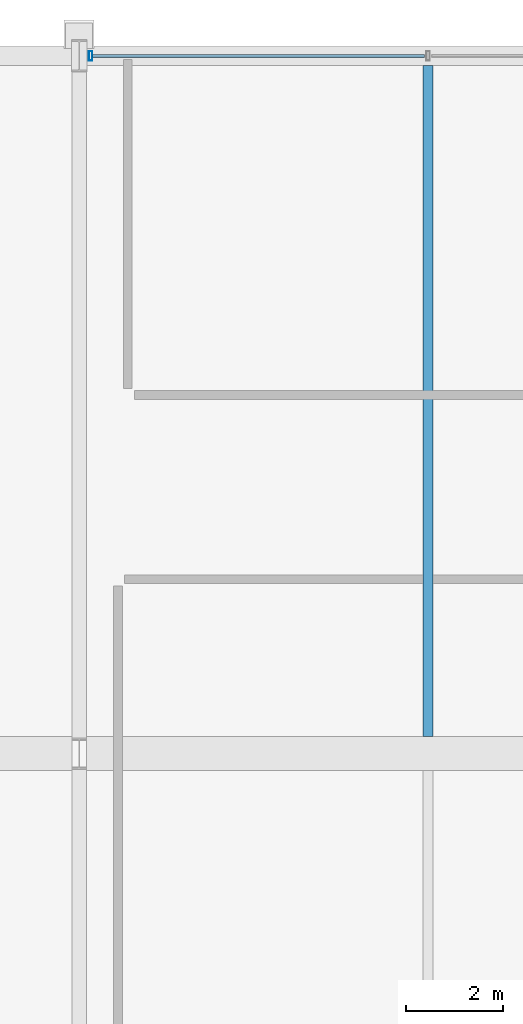
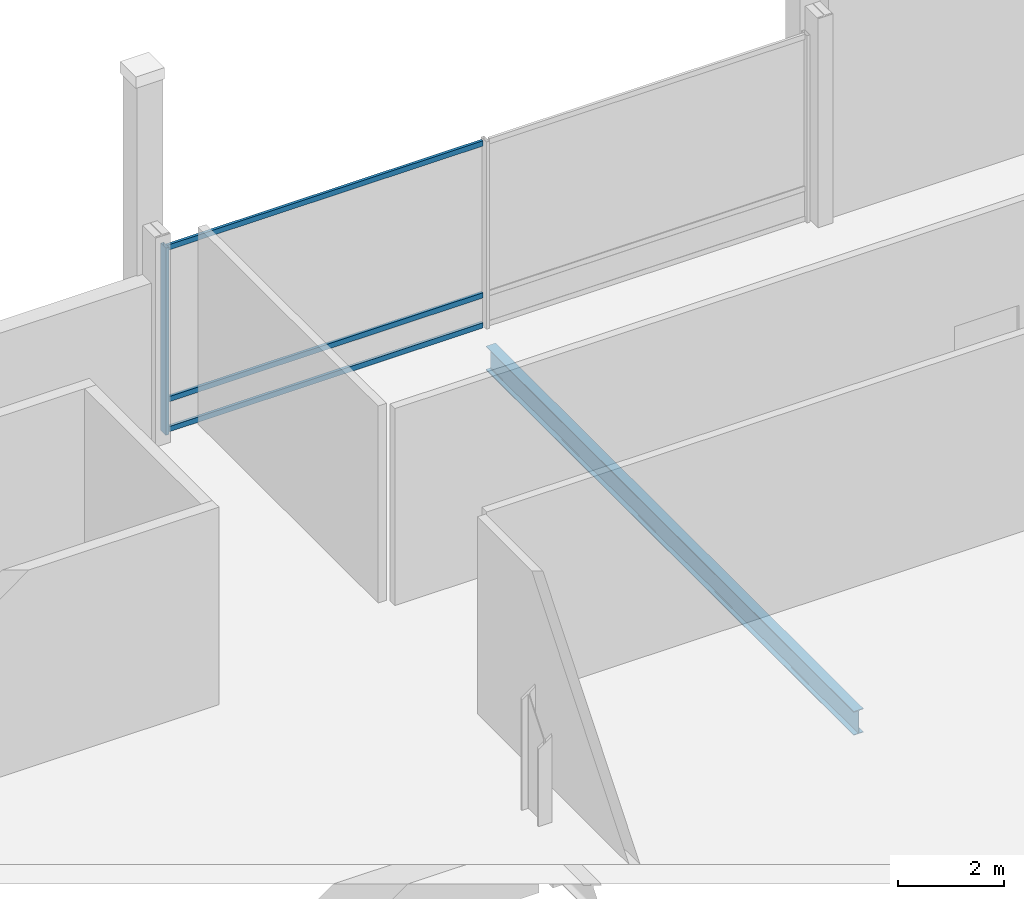
# One storey, part 104 of 193: 4 members, 1 beam, 1 element without a shape of its own.
"""IFC4 building model written with IfcOpenShell, lengths in metres."""

from ifc_helpers import new_model, si_unit, direction, frame, origin, origin_2d, place, context, subcontext, project, spatial, hollow_rectangle, i_section, extrude, material, material_profile, profile_set, type_object, element, aggregate, save


model = new_model("IFC4")

# Units and contexts
model_context = context("Model", 3, precision=1e-05, world=origin(), true_north=direction((0.0, 1.0)))
body_context = subcontext(model_context, "Body", "Model", "MODEL_VIEW")
ifc_project = project(units=[si_unit("LENGTHUNIT", "METRE"), si_unit("AREAUNIT", "SQUARE_METRE"), si_unit("VOLUMEUNIT", "CUBIC_METRE"), si_unit("PLANEANGLEUNIT", "RADIAN"), si_unit("MASSUNIT", "GRAM", prefix="KILO")], contexts=[model_context])

# Site, building, storey
site_placement = place(None, origin())
site = spatial("IfcSite", under=ifc_project, at=site_placement, CompositionType="ELEMENT")
building_placement = place(site_placement, origin())
building = spatial("IfcBuilding", under=site, at=building_placement, Name="Cendralis Lancet Convention Centre", CompositionType="ELEMENT")
storey_placement = place(building_placement, frame((0.0, 0.0, 10.199951171875)))
storey = spatial("IfcBuildingStorey", under=building, at=storey_placement, Name="L02", CompositionType="ELEMENT", Elevation=10.199951171875)

# Curtain wall, members
ifc_material_1 = material(Name="Anodised bronze architectural aluminium", Category="aluminium")
curtain_wall_type = type_object("IfcCurtainWallType", Name="ARC-CW-BL02", PredefinedType="USERDEFINED", material=ifc_material_1)
curtain_wall_placement = place(storey_placement, origin())
curtain_wall = element("IfcCurtainWall", 1, at=curtain_wall_placement, inside=storey, type_object=curtain_wall_type, Name="L02 Curtain Wall CW-BL2 #155", ObjectType="CURTAIN WALL", PredefinedType="USERDEFINED")
ifc_material_profile_1 = material_profile(ifc_material_1, hollow_rectangle(XDim=0.070068359375, YDim=0.199951171875, WallThickness=0.0048828125, at=origin_2d()), Name="AL-MULL 70x200x5.0")
ifc_profile_set_1 = profile_set([ifc_material_profile_1], Name="Anodised bronze architectural aluminium")
member_type_1 = type_object("IfcMemberType", Name="ARC-CW-ML02", PredefinedType="MULLION", material=ifc_profile_set_1)
member_1_placement = place(storey_placement, frame((153.8349609375, 136.800048828125, 0.0), z_axis=(0.0, 0.0, 1.0), x_axis=(1.0, 0.0, 0.0)))
member_1 = element("IfcMember", 2, at=member_1_placement, type_object=member_type_1, Name="Mullion CW2-CW-BL2-L02-155-M0", PredefinedType="MULLION", context=body_context, shape_type="SweptSolid", body=[
    extrude(hollow_rectangle(XDim=0.070068359375, YDim=0.199951171875, WallThickness=0.0048828125, at=origin_2d()), origin(), (0.0, 0.0, 1.0), 4.300048828125),
])
ifc_material_profile_2 = material_profile(ifc_material_1, hollow_rectangle(XDim=0.06005859375, YDim=0.1201171875, WallThickness=0.00390625, at=origin_2d()), Name="AL-TRAN 60x120x4.0")
ifc_profile_set_2 = profile_set([ifc_material_profile_2], Name="Anodised bronze architectural aluminium")
member_type_2 = type_object("IfcMemberType", Name="ARC-CW-TR01", PredefinedType="USERDEFINED", material=ifc_profile_set_2)
member_2_placement = place(storey_placement, frame((153.8701171875, 136.800048828125, 0.06005859375), z_axis=(1.0, 0.0, 0.0), x_axis=(0.0, 1.0, 0.0)))
member_2 = element("IfcMember", 3, at=member_2_placement, type_object=member_type_2, Name="Transom CW2-CW-BL2-L02-155-T0BOT", ObjectType="TRANSOM", PredefinedType="USERDEFINED", context=body_context, shape_type="SweptSolid", body=[
    extrude(hollow_rectangle(XDim=0.06005859375, YDim=0.1201171875, WallThickness=0.00390625, at=origin_2d()), origin(), (0.0, 0.0, 1.0), 6.85986328125),
])
member_3_placement = place(storey_placement, frame((153.8701171875, 136.800048828125, 0.75), z_axis=(1.0, 0.0, 0.0), x_axis=(0.0, 1.0, 0.0)))
member_3 = element("IfcMember", 4, at=member_3_placement, type_object=member_type_2, Name="Transom CW2-CW-BL2-L02-155-T0MID", ObjectType="TRANSOM", PredefinedType="USERDEFINED", context=body_context, shape_type="SweptSolid", body=[
    extrude(hollow_rectangle(XDim=0.06005859375, YDim=0.1201171875, WallThickness=0.00390625, at=origin_2d()), origin(), (0.0, 0.0, 1.0), 6.85986328125),
])
member_4_placement = place(storey_placement, frame((153.8701171875, 136.800048828125, 4.239990234375), z_axis=(1.0, 0.0, 0.0), x_axis=(0.0, 1.0, 0.0)))
member_4 = element("IfcMember", 5, at=member_4_placement, type_object=member_type_2, Name="Transom CW2-CW-BL2-L02-155-T0TOP", ObjectType="TRANSOM", PredefinedType="USERDEFINED", context=body_context, shape_type="SweptSolid", body=[
    extrude(hollow_rectangle(XDim=0.06005859375, YDim=0.1201171875, WallThickness=0.00390625, at=origin_2d()), origin(), (0.0, 0.0, 1.0), 6.85986328125),
])
aggregate(curtain_wall, [member_1, member_2, member_3, member_4])

# Beam
ifc_material_2 = material(Name="Steel S355", Category="steel")
ifc_material_profile_3 = material_profile(ifc_material_2, i_section(OverallWidth=0.2099609375, OverallDepth=0.550048828125, WebThickness=0.010986328125, FlangeThickness=0.01708984375, FilletRadius=0.02392578125, at=origin_2d()), Name="IPE 550")
ifc_profile_set_3 = profile_set([ifc_material_profile_3], Name="Steel S355")
beam_type = type_object("IfcBeamType", Name="STR-JS-BJ05", PredefinedType="JOIST", material=ifc_profile_set_3)
beam_placement = place(storey_placement, frame((160.800048828125, 122.75, -0.574951171875), z_axis=(0.0, 1.0, 0.0), x_axis=(-1.0, 0.0, 0.0)))
element("IfcBeam", 6, at=beam_placement, inside=storey, type_object=beam_type, Name="L02 Beam BJ05 #1746", PredefinedType="JOIST", context=body_context, shape_type="SweptSolid", body=[
    extrude(i_section(OverallWidth=0.2099609375, OverallDepth=0.550048828125, WebThickness=0.010986328125, FlangeThickness=0.01708984375, FilletRadius=0.02392578125, at=origin_2d()), origin(), (0.0, 0.0, 1.0), 13.85009765625),
])

save(model, "model.ifc")
